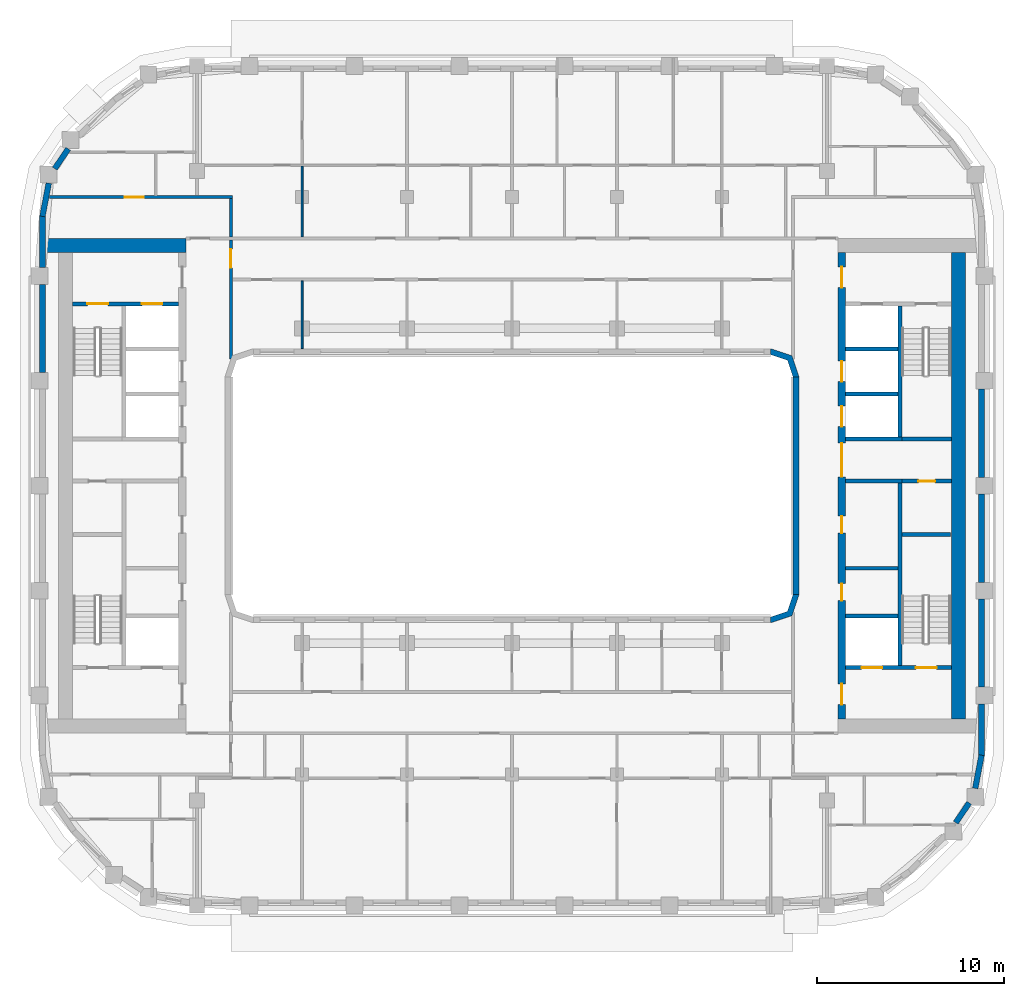
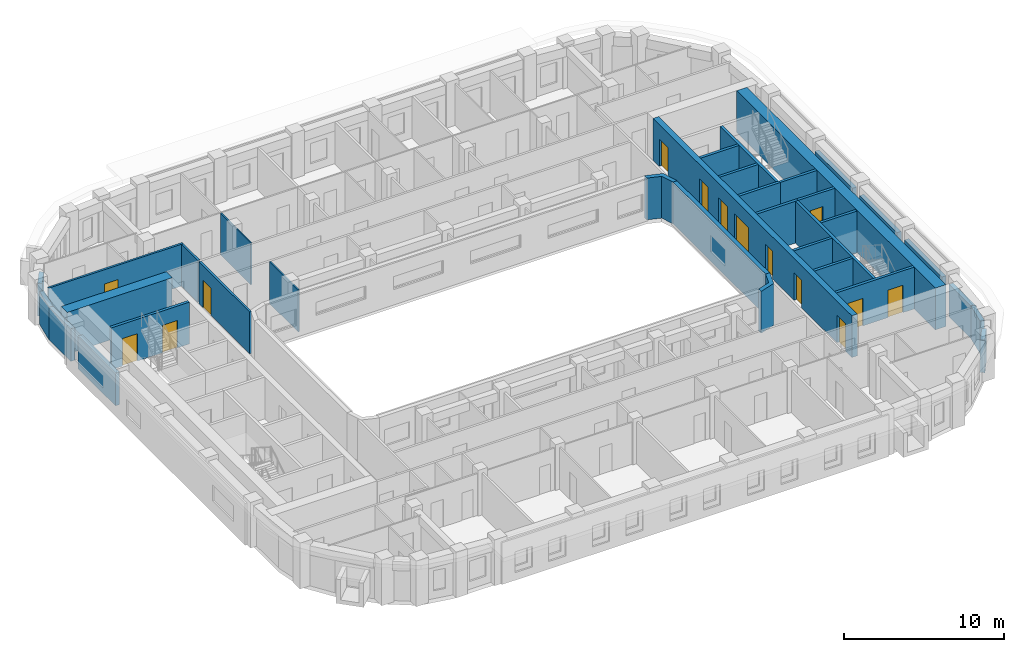
# One storey, part 6 of 21: 34 walls, 14 doors, 14 openings.
"""IFC4 building model written with IfcOpenShell, lengths in metres."""

from ifc_helpers import new_model, si_unit, direction, frame, frame_2d, origin, place, context, subcontext, project, spatial, polyline, rectangle, outline, extrude, material, layer, layer_set, type_object, element, fill, save


model = new_model("IFC4")

# Units and contexts
model_context = context("Model", 3, precision=1e-05, world=origin(), true_north=direction((0.0, 1.0)))
body_context = subcontext(model_context, "Body", "Model", "MODEL_VIEW")
ifc_project = project(units=[si_unit("LENGTHUNIT", "METRE"), si_unit("AREAUNIT", "SQUARE_METRE"), si_unit("VOLUMEUNIT", "CUBIC_METRE"), si_unit("PLANEANGLEUNIT", "RADIAN"), si_unit("MASSUNIT", "GRAM", prefix="KILO")], contexts=[model_context])

# Site, building, storey
site_placement = place(None, origin())
site = spatial("IfcSite", under=ifc_project, at=site_placement, CompositionType="ELEMENT")
building_placement = place(site_placement, origin())
building = spatial("IfcBuilding", under=site, at=building_placement, Name="Kiln Ring Residences", CompositionType="ELEMENT")
storey_placement = place(building_placement, frame((0.0, 0.0, 192.39990234375)))
storey = spatial("IfcBuildingStorey", under=building, at=storey_placement, Name="L49", CompositionType="ELEMENT", Elevation=192.39990234375)

# Wall, opening, door
ifc_material_1 = material(Name="Gypsum board on steel studs", Category="steel")
ifc_layer_1 = layer(ifc_material_1, 0.199951171875)
ifc_layer_set_1 = layer_set([ifc_layer_1], Name="CORE-PARTITION-200")
wall_type_1 = type_object("IfcWallType", Name="CORE-PARTITION-200", PredefinedType="PARTITIONING", material=ifc_layer_set_1)
wall_1_placement = place(storey_placement, frame((20.800048828125, 0.25, 0.0), z_axis=(0.0, 0.0, 1.0), x_axis=(1.0, 0.0, 0.0)))
wall_1 = element("IfcWall", 1, at=wall_1_placement, inside=storey, type_object=wall_type_1, Name="Core partition east L49 1", PredefinedType="PARTITIONING", context=body_context, shape_type="SweptSolid", body=[
    extrude(rectangle(XDim=2.64990234375, YDim=0.199951171875, at=frame_2d((1.324951171875, 0.0))), origin(), (0.0, 0.0, 1.0), 3.2001953125),
])
opening_1_placement = place(wall_1_placement, frame((0.875, 0.0, 0.0)))
opening_1 = element("IfcOpeningElement", 2, at=opening_1_placement, cuts=wall_1, Name="Opening L49-CE12", PredefinedType="OPENING", context=body_context, shape_type="SweptSolid", body=[
    extrude(rectangle(XDim=0.89990234375, YDim=2.10009765625, at=frame_2d((0.449951171875, 1.050048828125))), frame((0.0, 0.10986328125, 0.0), z_axis=(0.0, -1.0, 0.0), x_axis=(1.0, 0.0, 0.0)), (0.0, 0.0, 1.0), 0.219970703125),
])
ifc_material_2 = material(Name="Steel door leaf", Category="steel")
door_type_1 = type_object("IfcDoorType", Name="CORE-DOOR-ROOM", OperationType="SINGLE_SWING_LEFT", PredefinedType="DOOR", material=ifc_material_2)
door_1_placement = place(opening_1_placement, origin())
door_1 = element("IfcDoor", 3, at=door_1_placement, inside=storey, type_object=door_type_1, Name="Electrical riser room L49-CE12", OperationType="SINGLE_SWING_LEFT", OverallHeight=2.10009765625, OverallWidth=0.89990234375, PredefinedType="DOOR", context=body_context, shape_type="SweptSolid", body=[
    extrude(rectangle(XDim=0.89990234375, YDim=2.10009765625, at=frame_2d((0.449951171875, 1.050048828125))), frame((0.0, 0.02490234375, 0.0), z_axis=(0.0, -1.0, 0.0), x_axis=(1.0, 0.0, 0.0)), (0.0, 0.0, 1.0), 0.050048828125),
])
fill(opening_1, door_1)

# Walls
wall_2_placement = place(storey_placement, frame((17.800048828125, -4.39990234375, 0.0), z_axis=(0.0, 0.0, 1.0), x_axis=(1.0, 0.0, 0.0)))
element("IfcWall", 4, at=wall_2_placement, inside=storey, type_object=wall_type_1, Name="Core partition east L49 2", PredefinedType="PARTITIONING", context=body_context, shape_type="SweptSolid", body=[
    extrude(rectangle(XDim=2.800048828125, YDim=0.199951171875, at=frame_2d((1.39990234375, 0.0))), origin(), (0.0, 0.0, 1.0), 3.2001953125),
])
ifc_material_3 = material(Name="Gypsum shaft wall system")
ifc_layer_2 = layer(ifc_material_3, 0.199951171875)
ifc_layer_set_2 = layer_set([ifc_layer_2], Name="CORE-SHAFT-WALL-200")
wall_type_2 = type_object("IfcWallType", Name="CORE-SHAFT-WALL-200", PredefinedType="PARTITIONING", material=ifc_layer_set_2)
wall_3_placement = place(storey_placement, frame((17.800048828125, -6.949951171875, 0.0), z_axis=(0.0, 0.0, 1.0), x_axis=(1.0, 0.0, 0.0)))
element("IfcWall", 5, at=wall_3_placement, inside=storey, type_object=wall_type_2, Name="Core partition east L49 3", PredefinedType="PARTITIONING", context=body_context, shape_type="SweptSolid", body=[
    extrude(rectangle(XDim=2.800048828125, YDim=0.199951171875, at=frame_2d((1.39990234375, 0.0))), origin(), (0.0, 0.0, 1.0), 3.2001953125),
])
for number, where, z_axis, x_axis, name in (
    (6, (17.800048828125, 0.25, 0.0), (0.0, 0.0, 1.0), (1.0, 0.0, 0.0), "Core partition east L49 4"),
    (7, (17.800048828125, 2.5, 0.0), (0.0, 0.0, 1.0), (1.0, 0.0, 0.0), "Core partition east L49 5"),
):
    element("IfcWall", number, at=place(storey_placement, frame(where, z_axis=z_axis, x_axis=x_axis)), inside=storey, type_object=wall_type_2, Name=name, PredefinedType="PARTITIONING", context=body_context, shape_type="SweptSolid", body=[
        extrude(rectangle(XDim=3.0, YDim=0.199951171875, at=frame_2d((1.5, 0.0))), origin(), (0.0, 0.0, 1.0), 3.2001953125),
    ])
for number, where, z_axis, x_axis, name in (
    (8, (17.800048828125, 4.89990234375, 0.0), (0.0, 0.0, 1.0), (1.0, 0.0, 0.0), "Core partition east L49 6"),
    (9, (17.800048828125, 7.300048828125, 0.0), (0.0, 0.0, 1.0), (1.0, 0.0, 0.0), "Core partition east L49 7"),
):
    element("IfcWall", number, at=place(storey_placement, frame(where, z_axis=z_axis, x_axis=x_axis)), inside=storey, type_object=wall_type_2, Name=name, PredefinedType="PARTITIONING", context=body_context, shape_type="SweptSolid", body=[
        extrude(rectangle(XDim=2.800048828125, YDim=0.199951171875, at=frame_2d((1.39990234375, 0.0))), origin(), (0.0, 0.0, 1.0), 3.2001953125),
    ])

# Wall, openings, doors
ifc_material_4 = material(Name="Concrete C40/50", Category="concrete")
ifc_layer_3 = layer(ifc_material_4, 0.199951171875)
ifc_layer_set_3 = layer_set([ifc_layer_3], Name="CORE-WALL-RC200")
wall_type_3 = type_object("IfcWallType", Name="CORE-WALL-RC200", PredefinedType="SHEAR", material=ifc_layer_set_3)
wall_4_placement = place(storey_placement, frame((-17.800048828125, 9.699951171875, 0.0), z_axis=(0.0, 0.0, 1.0), x_axis=(-1.0, 0.0, 0.0)))
wall_4 = element("IfcWall", 10, at=wall_4_placement, inside=storey, type_object=wall_type_3, Name="Core wall west L49 9", PredefinedType="SHEAR", context=body_context, shape_type="SweptSolid", body=[
    extrude(rectangle(XDim=5.64990234375, YDim=0.199951171875, at=frame_2d((2.824951171875, 0.0))), origin(), (0.0, 0.0, 1.0), 3.2001953125),
])
opening_2_placement = place(wall_4_placement, frame((0.85009765625, 0.0, 0.0)))
opening_2 = element("IfcOpeningElement", 11, at=opening_2_placement, cuts=wall_4, Name="Opening L49-CW06", PredefinedType="OPENING", context=body_context, shape_type="SweptSolid", body=[
    extrude(rectangle(XDim=1.10009765625, YDim=2.10009765625, at=frame_2d((0.550048828125, 1.050048828125))), frame((0.0, 0.10986328125, 0.0), z_axis=(0.0, -1.0, 0.0), x_axis=(1.0, 0.0, 0.0)), (0.0, 0.0, 1.0), 0.219970703125),
])
opening_3_placement = place(wall_4_placement, frame((3.75, 0.0, 0.0)))
opening_3 = element("IfcOpeningElement", 12, at=opening_3_placement, cuts=wall_4, Name="Opening L49-CW09", PredefinedType="OPENING", context=body_context, shape_type="SweptSolid", body=[
    extrude(rectangle(XDim=1.10009765625, YDim=2.10009765625, at=frame_2d((0.550048828125, 1.050048828125))), frame((0.0, 0.10986328125, 0.0), z_axis=(0.0, -1.0, 0.0), x_axis=(1.0, 0.0, 0.0)), (0.0, 0.0, 1.0), 0.219970703125),
])
ifc_material_5 = material(Name="Steel door leaf", Category="steel")
door_type_2 = type_object("IfcDoorType", Name="CORE-DOOR-LD", OperationType="DOUBLE_DOOR_SLIDING", PredefinedType="DOOR", material=ifc_material_5)
door_2_placement = place(opening_2_placement, origin())
door_2 = element("IfcDoor", 13, at=door_2_placement, inside=storey, type_object=door_type_2, Name="LD W-FF L49-CW06", OperationType="DOUBLE_DOOR_SLIDING", OverallHeight=2.10009765625, OverallWidth=1.10009765625, PredefinedType="DOOR", context=body_context, shape_type="SweptSolid", body=[
    extrude(rectangle(XDim=1.10009765625, YDim=2.10009765625, at=frame_2d((0.550048828125, 1.050048828125))), frame((0.0, 0.02490234375, 0.0), z_axis=(0.0, -1.0, 0.0), x_axis=(1.0, 0.0, 0.0)), (0.0, 0.0, 1.0), 0.050048828125),
])
fill(opening_2, door_2)
ifc_material_6 = material(Name="Steel door leaf", Category="steel")
door_type_3 = type_object("IfcDoorType", Name="CORE-DOOR-STAIR", OperationType="SINGLE_SWING_LEFT", PredefinedType="DOOR", material=ifc_material_6)
door_3_placement = place(opening_3_placement, origin())
door_3 = element("IfcDoor", 14, at=door_3_placement, inside=storey, type_object=door_type_3, Name="Stair W-STN L49-CW09", OperationType="SINGLE_SWING_LEFT", OverallHeight=2.10009765625, OverallWidth=1.10009765625, PredefinedType="DOOR", context=body_context, shape_type="SweptSolid", body=[
    extrude(rectangle(XDim=1.10009765625, YDim=2.10009765625, at=frame_2d((0.550048828125, 1.050048828125))), frame((0.0, 0.02490234375, 0.0), z_axis=(0.0, -1.0, 0.0), x_axis=(1.0, 0.0, 0.0)), (0.0, 0.0, 1.0), 0.050048828125),
])
fill(opening_3, door_3)

# Walls
wall_5_placement = place(storey_placement, frame((20.699951171875, 2.60009765625, 0.0), z_axis=(0.0, 0.0, 1.0), x_axis=(0.0, 1.0, 0.0)))
element("IfcWall", 15, at=wall_5_placement, inside=storey, type_object=wall_type_3, Name="Core wall east L49 1", PredefinedType="SHEAR", context=body_context, shape_type="SweptSolid", body=[
    extrude(rectangle(XDim=7.0, YDim=0.199951171875, at=frame_2d((3.5, 0.0))), origin(), (0.0, 0.0, 1.0), 3.2001953125),
])
wall_6_placement = place(storey_placement, frame((20.699951171875, -9.60009765625, 0.0), z_axis=(0.0, 0.0, 1.0), x_axis=(0.0, 1.0, 0.0)))
element("IfcWall", 16, at=wall_6_placement, inside=storey, type_object=wall_type_3, Name="Core wall east L49 2", PredefinedType="SHEAR", context=body_context, shape_type="SweptSolid", body=[
    extrude(rectangle(XDim=9.75, YDim=0.199951171875, at=frame_2d((4.875, 0.0))), origin(), (0.0, 0.0, 1.0), 3.2001953125),
])
wall_7_placement = place(storey_placement, frame((20.800048828125, 2.5, 0.0), z_axis=(0.0, 0.0, 1.0), x_axis=(1.0, 0.0, 0.0)))
element("IfcWall", 17, at=wall_7_placement, inside=storey, type_object=wall_type_3, Name="Core wall east L49 3", PredefinedType="SHEAR", context=body_context, shape_type="SweptSolid", body=[
    extrude(rectangle(XDim=2.64990234375, YDim=0.199951171875, at=frame_2d((1.324951171875, 0.0))), origin(), (0.0, 0.0, 1.0), 3.2001953125),
])

# Wall, openings, doors
wall_8_placement = place(storey_placement, frame((17.800048828125, -9.699951171875, 0.0), z_axis=(0.0, 0.0, 1.0), x_axis=(1.0, 0.0, 0.0)))
wall_8 = element("IfcWall", 18, at=wall_8_placement, inside=storey, type_object=wall_type_3, Name="Core wall east L49 8", PredefinedType="SHEAR", context=body_context, shape_type="SweptSolid", body=[
    extrude(rectangle(XDim=5.64990234375, YDim=0.199951171875, at=frame_2d((2.824951171875, 0.0))), origin(), (0.0, 0.0, 1.0), 3.2001953125),
])
opening_4_placement = place(wall_8_placement, frame((0.85009765625, 0.0, 0.0)))
opening_4 = element("IfcOpeningElement", 19, at=opening_4_placement, cuts=wall_8, Name="Opening L49-CE01", PredefinedType="OPENING", context=body_context, shape_type="SweptSolid", body=[
    extrude(rectangle(XDim=1.10009765625, YDim=2.10009765625, at=frame_2d((0.550048828125, 1.050048828125))), frame((0.0, 0.10986328125, 0.0), z_axis=(0.0, -1.0, 0.0), x_axis=(1.0, 0.0, 0.0)), (0.0, 0.0, 1.0), 0.219970703125),
])
opening_5_placement = place(wall_8_placement, frame((3.75, 0.0, 0.0)))
opening_5 = element("IfcOpeningElement", 20, at=opening_5_placement, cuts=wall_8, Name="Opening L49-CE10", PredefinedType="OPENING", context=body_context, shape_type="SweptSolid", body=[
    extrude(rectangle(XDim=1.10009765625, YDim=2.10009765625, at=frame_2d((0.550048828125, 1.050048828125))), frame((0.0, 0.10986328125, 0.0), z_axis=(0.0, -1.0, 0.0), x_axis=(1.0, 0.0, 0.0)), (0.0, 0.0, 1.0), 0.219970703125),
])
door_4_placement = place(opening_4_placement, origin())
door_4 = element("IfcDoor", 21, at=door_4_placement, inside=storey, type_object=door_type_2, Name="LD E-SV L49-CE01", OperationType="DOUBLE_DOOR_SLIDING", OverallHeight=2.10009765625, OverallWidth=1.10009765625, PredefinedType="DOOR", context=body_context, shape_type="SweptSolid", body=[
    extrude(rectangle(XDim=1.10009765625, YDim=2.10009765625, at=frame_2d((0.550048828125, 1.050048828125))), frame((0.0, 0.02490234375, 0.0), z_axis=(0.0, -1.0, 0.0), x_axis=(1.0, 0.0, 0.0)), (0.0, 0.0, 1.0), 0.050048828125),
])
fill(opening_4, door_4)
door_5_placement = place(opening_5_placement, origin())
door_5 = element("IfcDoor", 22, at=door_5_placement, inside=storey, type_object=door_type_3, Name="Stair E-STS L49-CE10", OperationType="SINGLE_SWING_RIGHT", OverallHeight=2.10009765625, OverallWidth=1.10009765625, PredefinedType="DOOR", context=body_context, shape_type="SweptSolid", body=[
    extrude(rectangle(XDim=1.10009765625, YDim=2.10009765625, at=frame_2d((0.550048828125, 1.050048828125))), frame((0.0, 0.02490234375, 0.0), z_axis=(0.0, -1.0, 0.0), x_axis=(1.0, 0.0, 0.0)), (0.0, 0.0, 1.0), 0.050048828125),
])
fill(opening_5, door_5)

# Wall
wall_9_placement = place(storey_placement, frame((20.800048828125, -2.60009765625, 0.0), z_axis=(0.0, 0.0, 1.0), x_axis=(1.0, 0.0, 0.0)))
element("IfcWall", 23, at=wall_9_placement, inside=storey, type_object=wall_type_3, Name="Core wall east L49 10", PredefinedType="SHEAR", context=body_context, shape_type="SweptSolid", body=[
    extrude(rectangle(XDim=2.599853515625, YDim=0.199951171875, at=frame_2d((1.2998046875, 0.0))), origin(), (0.0, 0.0, 1.0), 3.2001953125),
])

# Wall, openings, doors
ifc_material_7 = material(Name="Concrete C60/75", Category="concrete")
ifc_layer_4 = layer(ifc_material_7, 0.39990234375)
ifc_layer_set_4 = layer_set([ifc_layer_4], Name="CORE-WALL-RC400")
wall_type_4 = type_object("IfcWallType", Name="CORE-WALL-RC400", PredefinedType="SHEAR", material=ifc_layer_set_4)
wall_10_placement = place(storey_placement, frame((17.60009765625, -12.449951171875, 0.0), z_axis=(0.0, 0.0, 1.0), x_axis=(0.0, 1.0, 0.0)))
wall_10 = element("IfcWall", 24, at=wall_10_placement, inside=storey, type_object=wall_type_4, Name="Core wall east L49 6", PredefinedType="SHEAR", context=body_context, shape_type="SweptSolid", body=[
    extrude(rectangle(XDim=24.89990234375, YDim=0.39990234375, at=frame_2d((12.449951171875, 0.0))), origin(), (0.0, 0.0, 1.0), 3.2001953125),
])
opening_6_placement = place(wall_10_placement, frame((6.324951171875, 0.0, 0.0)))
opening_6 = element("IfcOpeningElement", 25, at=opening_6_placement, cuts=wall_10, Name="Opening L49-CE02", PredefinedType="OPENING", context=body_context, shape_type="SweptSolid", body=[
    extrude(rectangle(XDim=0.89990234375, YDim=2.10009765625, at=frame_2d((0.449951171875, 1.050048828125))), frame((0.0, 0.2099609375, 0.0), z_axis=(0.0, -1.0, 0.0), x_axis=(1.0, 0.0, 0.0)), (0.0, 0.0, 1.0), 0.419921875),
])
opening_7_placement = place(wall_10_placement, frame((9.925048828125, 0.0, 0.0)))
opening_7 = element("IfcOpeningElement", 26, at=opening_7_placement, cuts=wall_10, Name="Opening L49-CE03", PredefinedType="OPENING", context=body_context, shape_type="SweptSolid", body=[
    extrude(rectangle(XDim=0.89990234375, YDim=2.10009765625, at=frame_2d((0.449951171875, 1.050048828125))), frame((0.0, 0.2099609375, 0.0), z_axis=(0.0, -1.0, 0.0), x_axis=(1.0, 0.0, 0.0)), (0.0, 0.0, 1.0), 0.419921875),
])
opening_8_placement = place(wall_10_placement, frame((15.60009765625, 0.0, 0.0)))
opening_8 = element("IfcOpeningElement", 27, at=opening_8_placement, cuts=wall_10, Name="Opening L49-CE04", PredefinedType="OPENING", context=body_context, shape_type="SweptSolid", body=[
    extrude(rectangle(XDim=1.10009765625, YDim=2.10009765625, at=frame_2d((0.550048828125, 1.050048828125))), frame((0.0, 0.2099609375, 0.0), z_axis=(0.0, -1.0, 0.0), x_axis=(1.0, 0.0, 0.0)), (0.0, 0.0, 1.0), 0.419921875),
])
opening_9_placement = place(wall_10_placement, frame((18.0, 0.0, 0.0)))
opening_9 = element("IfcOpeningElement", 28, at=opening_9_placement, cuts=wall_10, Name="Opening L49-CE05", PredefinedType="OPENING", context=body_context, shape_type="SweptSolid", body=[
    extrude(rectangle(XDim=1.10009765625, YDim=2.10009765625, at=frame_2d((0.550048828125, 1.050048828125))), frame((0.0, 0.2099609375, 0.0), z_axis=(0.0, -1.0, 0.0), x_axis=(1.0, 0.0, 0.0)), (0.0, 0.0, 1.0), 0.419921875),
])
opening_10_placement = place(wall_10_placement, frame((23.02490234375, 0.0, 0.0)))
opening_10 = element("IfcOpeningElement", 29, at=opening_10_placement, cuts=wall_10, Name="Opening L49-CE07", PredefinedType="OPENING", context=body_context, shape_type="SweptSolid", body=[
    extrude(rectangle(XDim=1.10009765625, YDim=2.10009765625, at=frame_2d((0.550048828125, 1.050048828125))), frame((0.0, 0.2099609375, 0.0), z_axis=(0.0, -1.0, 0.0), x_axis=(1.0, 0.0, 0.0)), (0.0, 0.0, 1.0), 0.419921875),
])
opening_11_placement = place(wall_10_placement, frame((0.77490234375, 0.0, 0.0)))
opening_11 = element("IfcOpeningElement", 30, at=opening_11_placement, cuts=wall_10, Name="Opening L49-CE08", PredefinedType="OPENING", context=body_context, shape_type="SweptSolid", body=[
    extrude(rectangle(XDim=1.10009765625, YDim=2.10009765625, at=frame_2d((0.550048828125, 1.050048828125))), frame((0.0, 0.2099609375, 0.0), z_axis=(0.0, -1.0, 0.0), x_axis=(1.0, 0.0, 0.0)), (0.0, 0.0, 1.0), 0.419921875),
])
opening_12_placement = place(wall_10_placement, frame((12.925048828125, 0.0, 0.0)))
opening_12 = element("IfcOpeningElement", 31, at=opening_12_placement, cuts=wall_10, Name="Opening L49-CE11", PredefinedType="OPENING", context=body_context, shape_type="SweptSolid", body=[
    extrude(rectangle(XDim=1.800048828125, YDim=2.10009765625, at=frame_2d((0.89990234375, 1.050048828125))), frame((0.0, 0.2099609375, 0.0), z_axis=(0.0, -1.0, 0.0), x_axis=(1.0, 0.0, 0.0)), (0.0, 0.0, 1.0), 0.419921875),
])
door_6_placement = place(opening_8_placement, origin())
door_6 = element("IfcDoor", 32, at=door_6_placement, inside=storey, type_object=door_type_2, Name="LD E-M1 L49-CE04", OperationType="DOUBLE_DOOR_SLIDING", OverallHeight=2.10009765625, OverallWidth=1.10009765625, PredefinedType="DOOR", context=body_context, shape_type="SweptSolid", body=[
    extrude(rectangle(XDim=1.10009765625, YDim=2.10009765625, at=frame_2d((0.550048828125, 1.050048828125))), frame((0.0, 0.02490234375, 0.0), z_axis=(0.0, -1.0, 0.0), x_axis=(1.0, 0.0, 0.0)), (0.0, 0.0, 1.0), 0.050048828125),
])
fill(opening_8, door_6)
door_7_placement = place(opening_9_placement, origin())
door_7 = element("IfcDoor", 33, at=door_7_placement, inside=storey, type_object=door_type_2, Name="LD E-M2 L49-CE05", OperationType="DOUBLE_DOOR_SLIDING", OverallHeight=2.10009765625, OverallWidth=1.10009765625, PredefinedType="DOOR", context=body_context, shape_type="SweptSolid", body=[
    extrude(rectangle(XDim=1.10009765625, YDim=2.10009765625, at=frame_2d((0.550048828125, 1.050048828125))), frame((0.0, 0.02490234375, 0.0), z_axis=(0.0, -1.0, 0.0), x_axis=(1.0, 0.0, 0.0)), (0.0, 0.0, 1.0), 0.050048828125),
])
fill(opening_9, door_7)
ifc_material_8 = material(Name="Steel door leaf", Category="steel")
door_type_4 = type_object("IfcDoorType", Name="CORE-DOOR-LOBBY", OperationType="SINGLE_SWING_LEFT", PredefinedType="DOOR", material=ifc_material_8)
door_8_placement = place(opening_10_placement, origin())
door_8 = element("IfcDoor", 34, at=door_8_placement, inside=storey, type_object=door_type_4, Name="FFL L49-CE07", OperationType="SINGLE_SWING_LEFT", OverallHeight=2.10009765625, OverallWidth=1.10009765625, PredefinedType="DOOR", context=body_context, shape_type="SweptSolid", body=[
    extrude(rectangle(XDim=1.10009765625, YDim=2.10009765625, at=frame_2d((0.550048828125, 1.050048828125))), frame((0.0, 0.02490234375, 0.0), z_axis=(0.0, -1.0, 0.0), x_axis=(1.0, 0.0, 0.0)), (0.0, 0.0, 1.0), 0.050048828125),
])
fill(opening_10, door_8)
door_9_placement = place(opening_11_placement, origin())
door_9 = element("IfcDoor", 35, at=door_9_placement, inside=storey, type_object=door_type_4, Name="SVL L49-CE08", OperationType="SINGLE_SWING_RIGHT", OverallHeight=2.10009765625, OverallWidth=1.10009765625, PredefinedType="DOOR", context=body_context, shape_type="SweptSolid", body=[
    extrude(rectangle(XDim=1.10009765625, YDim=2.10009765625, at=frame_2d((0.550048828125, 1.050048828125))), frame((0.0, 0.02490234375, 0.0), z_axis=(0.0, -1.0, 0.0), x_axis=(1.0, 0.0, 0.0)), (0.0, 0.0, 1.0), 0.050048828125),
])
fill(opening_11, door_9)
ifc_material_9 = material(Name="Steel door leaf", Category="steel")
door_type_5 = type_object("IfcDoorType", Name="CORE-DOOR-PASS", OperationType="DOUBLE_DOOR_SINGLE_SWING", PredefinedType="DOOR", material=ifc_material_9)
door_10_placement = place(opening_12_placement, origin())
door_10 = element("IfcDoor", 36, at=door_10_placement, inside=storey, type_object=door_type_5, Name="Core passage L49-CE11", OperationType="DOUBLE_DOOR_SINGLE_SWING", OverallHeight=2.10009765625, OverallWidth=1.800048828125, PredefinedType="DOOR", context=body_context, shape_type="SweptSolid", body=[
    extrude(rectangle(XDim=1.800048828125, YDim=2.10009765625, at=frame_2d((0.89990234375, 1.050048828125))), frame((0.0, 0.02490234375, 0.0), z_axis=(0.0, -1.0, 0.0), x_axis=(1.0, 0.0, 0.0)), (0.0, 0.0, 1.0), 0.050048828125),
])
fill(opening_12, door_10)
door_11_placement = place(opening_6_placement, origin())
door_11 = element("IfcDoor", 37, at=door_11_placement, inside=storey, type_object=door_type_1, Name="Goods store L49-CE02", OperationType="SINGLE_SWING_LEFT", OverallHeight=2.10009765625, OverallWidth=0.89990234375, PredefinedType="DOOR", context=body_context, shape_type="SweptSolid", body=[
    extrude(rectangle(XDim=0.89990234375, YDim=2.10009765625, at=frame_2d((0.449951171875, 1.050048828125))), frame((0.0, 0.02490234375, 0.0), z_axis=(0.0, -1.0, 0.0), x_axis=(1.0, 0.0, 0.0)), (0.0, 0.0, 1.0), 0.050048828125),
])
fill(opening_6, door_11)
door_12_placement = place(opening_7_placement, origin())
door_12 = element("IfcDoor", 38, at=door_12_placement, inside=storey, type_object=door_type_1, Name="Storage room L49-CE03", OperationType="SINGLE_SWING_RIGHT", OverallHeight=2.10009765625, OverallWidth=0.89990234375, PredefinedType="DOOR", context=body_context, shape_type="SweptSolid", body=[
    extrude(rectangle(XDim=0.89990234375, YDim=2.10009765625, at=frame_2d((0.449951171875, 1.050048828125))), frame((0.0, 0.02490234375, 0.0), z_axis=(0.0, -1.0, 0.0), x_axis=(1.0, 0.0, 0.0)), (0.0, 0.0, 1.0), 0.050048828125),
])
fill(opening_7, door_12)

# Walls
ifc_material_10 = material(Name="Concrete C60/75", Category="concrete")
ifc_layer_5 = layer(ifc_material_10, 0.75)
ifc_layer_set_5 = layer_set([ifc_layer_5], Name="CORE-WALL-RC750")
wall_type_5 = type_object("IfcWallType", Name="CORE-WALL-RC750", PredefinedType="SHEAR", material=ifc_layer_set_5)
wall_11_placement = place(storey_placement, frame((-17.39990234375, 12.824951171875, 0.0), z_axis=(0.0, 0.0, 1.0), x_axis=(-1.0, 0.0, 0.0)))
element("IfcWall", 39, at=wall_11_placement, inside=storey, type_object=wall_type_5, Name="Core wall west L49 4", PredefinedType="SHEAR", context=body_context, shape_type="SweptSolid", body=[
    extrude(rectangle(XDim=7.60009765625, YDim=0.75, at=frame_2d((3.800048828125, 0.0))), origin(), (0.0, 0.0, 1.0), 3.2001953125),
])
wall_12_placement = place(storey_placement, frame((23.824951171875, -12.449951171875, 0.0), z_axis=(0.0, 0.0, 1.0), x_axis=(0.0, 1.0, 0.0)))
element("IfcWall", 40, at=wall_12_placement, inside=storey, type_object=wall_type_5, Name="Core wall east L49 7", PredefinedType="SHEAR", context=body_context, shape_type="SweptSolid", body=[
    extrude(rectangle(XDim=24.89990234375, YDim=0.75, at=frame_2d((12.449951171875, 0.0))), origin(), (0.0, 0.0, 1.0), 3.2001953125),
])
ifc_material_11 = material(Name="Brick masonry, dark clay brick", Category="masonry")
ifc_layer_6 = layer(ifc_material_11, 0.300048828125)
ifc_layer_set_6 = layer_set([ifc_layer_6], Name="EW-300 BRICK WALL")
wall_type_6 = type_object("IfcWallType", Name="EW-300 BRICK WALL", PredefinedType="SOLIDWALL", material=ifc_layer_set_6)
wall_13_placement = place(storey_placement, frame((23.67626953125, -17.975341796875, 0.0), z_axis=(0.0, 0.0, 1.0), x_axis=(0.56200149592, 0.827136215253, 0.0)))
element("IfcWall", 41, at=wall_13_placement, inside=storey, type_object=wall_type_6, Name="Facade wall L49 14", PredefinedType="SOLIDWALL", context=body_context, shape_type="SweptSolid", body=[
    extrude(rectangle(XDim=1.277099609375, YDim=0.300048828125, at=frame_2d((0.638671875, 0.0))), origin(), (0.0, 0.0, 1.0), 2.5),
])
wall_14_placement = place(storey_placement, frame((24.71435546875, -16.14599609375, 0.0), z_axis=(0.0, 0.0, 1.0), x_axis=(0.187348135549, 0.982293579388, 0.0)))
element("IfcWall", 42, at=wall_14_placement, inside=storey, type_object=wall_type_6, Name="Facade wall L49 15", PredefinedType="SOLIDWALL", context=body_context, shape_type="SweptSolid", body=[
    extrude(rectangle(XDim=1.80615234375, YDim=0.300048828125, at=frame_2d((0.903076171875, 0.0))), origin(), (0.0, 0.0, 1.0), 2.5),
])
wall_15_placement = place(storey_placement, frame((25.050048828125, -14.39990234375, 0.0), z_axis=(0.0, 0.0, 1.0), x_axis=(0.0, 1.0, 0.0)))
element("IfcWall", 43, at=wall_15_placement, inside=storey, type_object=wall_type_6, Name="Facade wall L49 16", PredefinedType="SOLIDWALL", context=body_context, shape_type="SweptSolid", body=[
    extrude(rectangle(XDim=2.75, YDim=0.300048828125, at=frame_2d((1.375, 0.0))), origin(), (0.0, 0.0, 1.0), 2.5),
])
for number, where, z_axis, x_axis, name in (
    (44, (25.050048828125, -10.75, 0.0), (0.0, 0.0, 1.0), (0.0, 1.0, 0.0), "Facade wall L49 17"),
    (45, (25.050048828125, -5.14990234375, 0.0), (0.0, 0.0, 1.0), (0.0, 1.0, 0.0), "Facade wall L49 18"),
    (46, (25.050048828125, 0.449951171875, 0.0), (0.0, 0.0, 1.0), (0.0, 1.0, 0.0), "Facade wall L49 19"),
):
    element("IfcWall", number, at=place(storey_placement, frame(where, z_axis=z_axis, x_axis=x_axis)), inside=storey, type_object=wall_type_6, Name=name, PredefinedType="SOLIDWALL", context=body_context, shape_type="SweptSolid", body=[
        extrude(rectangle(XDim=4.699951171875, YDim=0.300048828125, at=frame_2d((2.35009765625, 0.0))), origin(), (0.0, 0.0, 1.0), 2.5),
    ])
wall_16_placement = place(storey_placement, frame((-23.67626953125, 17.975341796875, 0.0), z_axis=(0.0, 0.0, 1.0), x_axis=(-0.56200149592, -0.827136215253, 0.0)))
element("IfcWall", 47, at=wall_16_placement, inside=storey, type_object=wall_type_6, Name="Facade wall L49 37", PredefinedType="SOLIDWALL", context=body_context, shape_type="SweptSolid", body=[
    extrude(rectangle(XDim=1.277099609375, YDim=0.300048828125, at=frame_2d((0.638671875, 0.0))), origin(), (0.0, 0.0, 1.0), 2.5),
])
wall_17_placement = place(storey_placement, frame((-24.71435546875, 16.14599609375, 0.0), z_axis=(0.0, 0.0, 1.0), x_axis=(-0.187348135549, -0.982293579388, 0.0)))
element("IfcWall", 48, at=wall_17_placement, inside=storey, type_object=wall_type_6, Name="Facade wall L49 38", PredefinedType="SOLIDWALL", context=body_context, shape_type="SweptSolid", body=[
    extrude(rectangle(XDim=1.80615234375, YDim=0.300048828125, at=frame_2d((0.903076171875, 0.0))), origin(), (0.0, 0.0, 1.0), 2.5),
])
wall_18_placement = place(storey_placement, frame((-25.050048828125, 14.39990234375, 0.0), z_axis=(0.0, 0.0, 1.0), x_axis=(0.0, -1.0, 0.0)))
element("IfcWall", 49, at=wall_18_placement, inside=storey, type_object=wall_type_6, Name="Facade wall L49 39", PredefinedType="SOLIDWALL", context=body_context, shape_type="SweptSolid", body=[
    extrude(rectangle(XDim=2.75, YDim=0.300048828125, at=frame_2d((1.375, 0.0))), origin(), (0.0, 0.0, 1.0), 2.5),
])
wall_19_placement = place(storey_placement, frame((-25.050048828125, 10.75, 0.0), z_axis=(0.0, 0.0, 1.0), x_axis=(0.0, -1.0, 0.0)))
element("IfcWall", 50, at=wall_19_placement, inside=storey, type_object=wall_type_6, Name="Facade wall L49 40", PredefinedType="SOLIDWALL", context=body_context, shape_type="SweptSolid", body=[
    extrude(rectangle(XDim=4.699951171875, YDim=0.300048828125, at=frame_2d((2.35009765625, 0.0))), origin(), (0.0, 0.0, 1.0), 2.5),
])
wall_20_placement = place(storey_placement, frame((15.14990234375, 5.800048828125, 0.0), z_axis=(0.0, 0.0, 1.0), x_axis=(0.0, -1.0, 0.0)))
element("IfcWall", 51, at=wall_20_placement, inside=storey, type_object=wall_type_6, Name="Facade wall L49 49", PredefinedType="SOLIDWALL", context=body_context, shape_type="SweptSolid", body=[
    extrude(rectangle(XDim=11.60009765625, YDim=0.300048828125, at=frame_2d((5.800048828125, 0.0))), origin(), (0.0, 0.0, 1.0), 3.2001953125),
])
placement = place(storey_placement, origin())
element("IfcWall", 52, at=placement, inside=storey, type_object=wall_type_6, Name="Corner wall L49 2", PredefinedType="SOLIDWALL", context=body_context, shape_type="SweptSolid", body=[
    extrude(outline(polyline([(14.937255859375, 6.937255859375), (13.8486328125, 7.300048828125), (13.800048828125, 7.300048828125), (13.800048828125, 7.0), (14.699951171875, 6.699951171875), (15.0, 5.800048828125), (15.300048828125, 5.800048828125), (15.300048828125, 5.8486328125), (14.937255859375, 6.937255859375)])), origin(), (0.0, 0.0, 1.0), 3.2001953125),
])
element("IfcWall", 53, at=placement, inside=storey, type_object=wall_type_6, Name="Corner wall L49 3", PredefinedType="SOLIDWALL", context=body_context, shape_type="SweptSolid", body=[
    extrude(outline(polyline([(14.937255859375, -6.937255859375), (15.300048828125, -5.8486328125), (15.300048828125, -5.800048828125), (15.0, -5.800048828125), (14.699951171875, -6.699951171875), (13.800048828125, -7.0), (13.800048828125, -7.300048828125), (13.8486328125, -7.300048828125), (14.937255859375, -6.937255859375)])), origin(), (0.0, 0.0, 1.0), 3.2001953125),
])
ifc_material_12 = material(Name="Gypsum board on steel studs", Category="steel")
ifc_layer_7 = layer(ifc_material_12, 0.10009765625)
ifc_layer_set_7 = layer_set([ifc_layer_7], Name="PARTITION-100")
wall_type_7 = type_object("IfcWallType", Name="PARTITION-100", PredefinedType="PARTITIONING", material=ifc_layer_set_7)
wall_23_placement = place(storey_placement, frame((-11.199951171875, 7.320068359375, 0.0), z_axis=(0.0, 0.0, 1.0), x_axis=(0.0, 1.0, 0.0)))
element("IfcWall", 54, at=wall_23_placement, inside=storey, type_object=wall_type_7, Name="Partition 025", PredefinedType="PARTITIONING", context=body_context, shape_type="SweptSolid", body=[
    extrude(rectangle(XDim=3.60498046875, YDim=0.10009765625, at=frame_2d((1.802490234375, 0.0))), origin(), (0.0, 0.0, 1.0), 3.2001953125),
])
wall_24_placement = place(storey_placement, frame((-11.199951171875, 13.27490234375, 0.0), z_axis=(0.0, 0.0, 1.0), x_axis=(0.0, 1.0, 0.0)))
element("IfcWall", 55, at=wall_24_placement, inside=storey, type_object=wall_type_7, Name="Partition 026", PredefinedType="PARTITIONING", context=body_context, shape_type="SweptSolid", body=[
    extrude(rectangle(XDim=3.775146484375, YDim=0.10009765625, at=frame_2d((1.8876953125, 0.0))), origin(), (0.0, 0.0, 1.0), 3.2001953125),
])

# Wall, opening, door
ifc_material_13 = material(Name="Brick masonry partition", Category="masonry")
ifc_layer_8 = layer(ifc_material_13, 0.14990234375)
ifc_layer_set_8 = layer_set([ifc_layer_8], Name="PARTITION-150-ei60")
wall_type_8 = type_object("IfcWallType", Name="PARTITION-150-ei60", PredefinedType="PARTITIONING", material=ifc_layer_set_8)
wall_25_placement = place(storey_placement, frame((-24.683837890625, 15.39990234375, 0.0), z_axis=(0.0, 0.0, 1.0), x_axis=(1.0, 0.0, 0.0)))
wall_25 = element("IfcWall", 56, at=wall_25_placement, inside=storey, type_object=wall_type_8, Name="Partition 009", PredefinedType="PARTITIONING", context=body_context, shape_type="SweptSolid", body=[
    extrude(rectangle(XDim=9.7587890625, YDim=0.14990234375, at=frame_2d((4.87939453125, 0.0))), origin(), (0.0, 0.0, 1.0), 3.2001953125),
])
opening_13_placement = place(wall_25_placement, frame((4.03369140625, 0.0, 0.0)))
opening_13 = element("IfcOpeningElement", 57, at=opening_13_placement, cuts=wall_25, Name="Opening L49-D035", PredefinedType="OPENING", context=body_context, shape_type="SweptSolid", body=[
    extrude(rectangle(XDim=1.0, YDim=2.10009765625, at=frame_2d((0.5, 1.050048828125))), frame((0.0, 0.0849609375, 0.0), z_axis=(0.0, -1.0, 0.0), x_axis=(1.0, 0.0, 0.0)), (0.0, 0.0, 1.0), 0.169921875),
])
ifc_material_14 = material(Name="Steel faced fire door leaf", Category="steel")
door_type_6 = type_object("IfcDoorType", Name="FLAT-DOOR-1000-FR", OperationType="SINGLE_SWING_LEFT", PredefinedType="DOOR", material=ifc_material_14)
door_13_placement = place(opening_13_placement, origin())
door_13 = element("IfcDoor", 58, at=door_13_placement, inside=storey, type_object=door_type_6, Name="Door L49-D035", OperationType="SINGLE_SWING_LEFT", OverallHeight=2.10009765625, OverallWidth=1.0, PredefinedType="DOOR", context=body_context, shape_type="SweptSolid", body=[
    extrude(rectangle(XDim=1.0, YDim=2.10009765625, at=frame_2d((0.5, 1.050048828125))), frame((0.0, 0.02490234375, 0.0), z_axis=(0.0, -1.0, 0.0), x_axis=(1.0, 0.0, 0.0)), (0.0, 0.0, 1.0), 0.050048828125),
])
fill(opening_13, door_13)

wall_26_placement = place(storey_placement, frame((-15.0, 6.768798828125, 0.0), z_axis=(0.0, 0.0, 1.0), x_axis=(0.0, 1.0, 0.0)))
wall_26 = element("IfcWall", 59, at=wall_26_placement, inside=storey, type_object=wall_type_8, Name="Partition 021", PredefinedType="PARTITIONING", context=body_context, shape_type="SweptSolid", body=[
    extrude(rectangle(XDim=6.356201171875, YDim=0.14990234375, at=frame_2d((3.17822265625, 0.0))), origin(), (0.0, 0.0, 1.0), 3.2001953125),
])
opening_14_placement = place(wall_26_placement, frame((4.860107421875, 0.0, 0.0)))
opening_14 = element("IfcOpeningElement", 60, at=opening_14_placement, cuts=wall_26, Name="Opening L49-D001", PredefinedType="OPENING", context=body_context, shape_type="SweptSolid", body=[
    extrude(rectangle(XDim=1.0, YDim=2.10009765625, at=frame_2d((0.5, 1.050048828125))), frame((0.0, 0.0849609375, 0.0), z_axis=(0.0, -1.0, 0.0), x_axis=(1.0, 0.0, 0.0)), (0.0, 0.0, 1.0), 0.169921875),
])
door_14_placement = place(opening_14_placement, origin())
door_14 = element("IfcDoor", 61, at=door_14_placement, inside=storey, type_object=door_type_6, Name="Door L49-D001", OperationType="SINGLE_SWING_RIGHT", OverallHeight=2.10009765625, OverallWidth=1.0, PredefinedType="DOOR", context=body_context, shape_type="SweptSolid", body=[
    extrude(rectangle(XDim=1.0, YDim=2.10009765625, at=frame_2d((0.5, 1.050048828125))), frame((0.0, 0.02490234375, 0.0), z_axis=(0.0, -1.0, 0.0), x_axis=(1.0, 0.0, 0.0)), (0.0, 0.0, 1.0), 0.050048828125),
])
fill(opening_14, door_14)

# Wall
wall_27_placement = place(storey_placement, frame((-15.0, 13.27490234375, 0.0), z_axis=(0.0, 0.0, 1.0), x_axis=(0.0, 1.0, 0.0)))
element("IfcWall", 62, at=wall_27_placement, inside=storey, type_object=wall_type_8, Name="Partition 022", PredefinedType="PARTITIONING", context=body_context, shape_type="SweptSolid", body=[
    extrude(rectangle(XDim=2.050048828125, YDim=0.14990234375, at=frame_2d((1.02490234375, 0.0))), origin(), (0.0, 0.0, 1.0), 3.2001953125),
])

save(model, "model.ifc")
